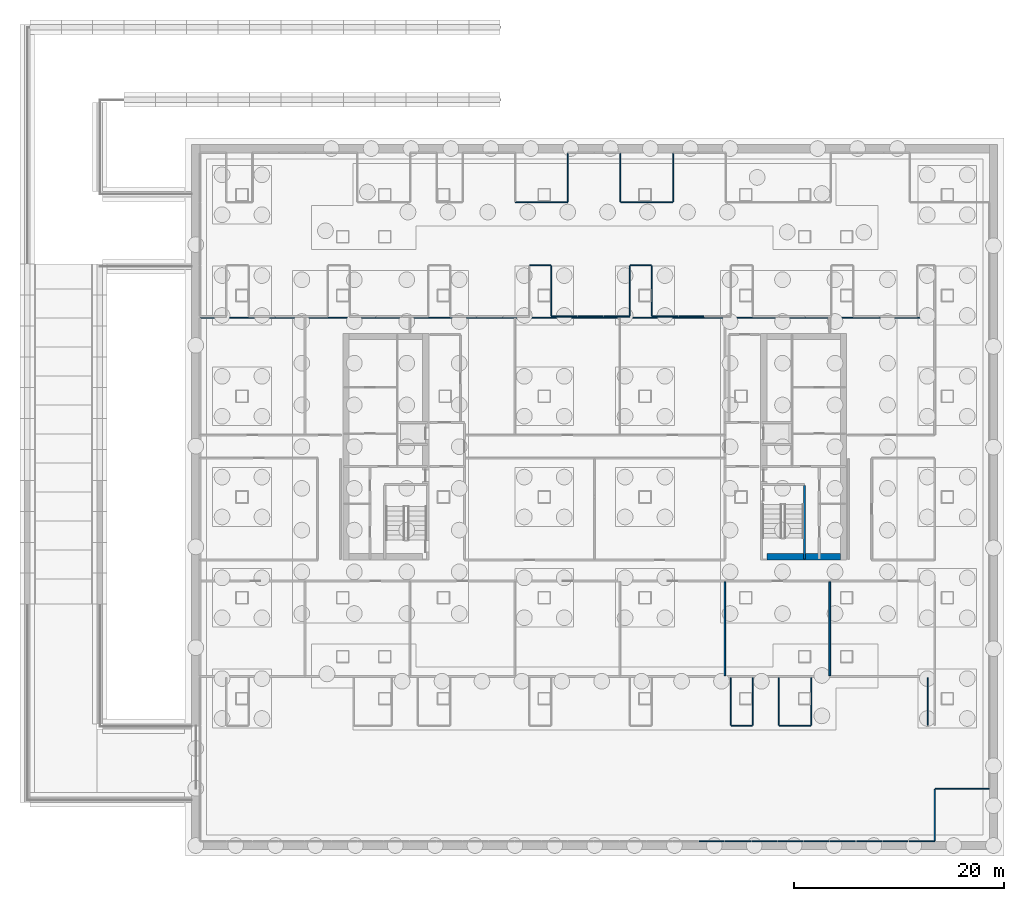
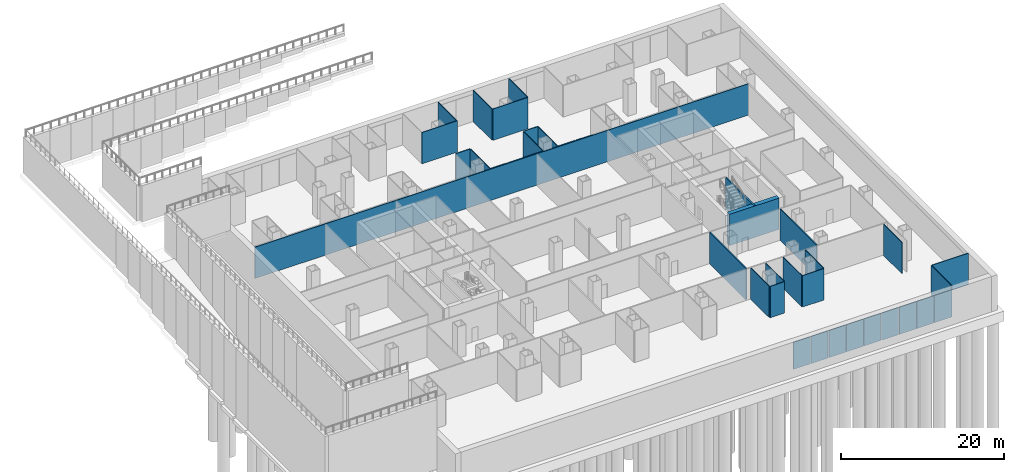
# One storey, part 10 of 17: 38 walls.
"""IFC4 building model written with IfcOpenShell, lengths in metres."""

from ifc_helpers import new_model, si_unit, direction, frame, frame_2d, origin, place, context, subcontext, project, spatial, rectangle, extrude, material, layer, layer_set, type_object, element, save


model = new_model("IFC4")

# Units and contexts
model_context = context("Model", 3, precision=1e-05, world=origin(), true_north=direction((0.0, 1.0)))
body_context = subcontext(model_context, "Body", "Model", "MODEL_VIEW")
ifc_project = project(units=[si_unit("LENGTHUNIT", "METRE"), si_unit("AREAUNIT", "SQUARE_METRE"), si_unit("VOLUMEUNIT", "CUBIC_METRE"), si_unit("PLANEANGLEUNIT", "RADIAN"), si_unit("MASSUNIT", "GRAM", prefix="KILO")], contexts=[model_context])

# Site, building, storey
site_placement = place(None, origin())
site = spatial("IfcSite", under=ifc_project, at=site_placement, CompositionType="ELEMENT")
building_placement = place(site_placement, origin())
building = spatial("IfcBuilding", under=site, at=building_placement, Name="Cobrizo Arcos Hotel Tower", CompositionType="ELEMENT")
storey_placement = place(building_placement, frame((0.0, 0.0, -10.0)))
storey = spatial("IfcBuildingStorey", under=building, at=storey_placement, Name="B2", CompositionType="ELEMENT", Elevation=-10.0)

# Walls
ifc_material_1 = material(Name="Gypsum board partition")
ifc_layer_1 = layer(ifc_material_1, 0.14990234375)
ifc_layer_set_1 = layer_set([ifc_layer_1], Name="Corridor wall EI 60 150")
wall_type_1 = type_object("IfcWallType", Name="Corridor wall EI 60 150", PredefinedType="PARTITIONING", material=ifc_layer_set_1)
for number, where, z_axis, x_axis, name in (
    (1, (12.39990234375, -21.824951171875, 0.0), (0.0, 0.0, 1.0), (0.0, 1.0, 0.0), "Partition 198"),
    (2, (22.39990234375, -21.824951171875, 0.0), (0.0, 0.0, 1.0), (0.0, 1.0, 0.0), "Partition 211"),
):
    element("IfcWall", number, at=place(storey_placement, frame(where, z_axis=z_axis, x_axis=x_axis)), inside=storey, type_object=wall_type_1, Name=name, PredefinedType="PARTITIONING", context=body_context, shape_type="SweptSolid", body=[
        extrude(rectangle(XDim=8.949951171875, YDim=0.14990234375, at=frame_2d((4.47509765625, 0.0))), origin(), (0.0, 0.0, 1.0), 4.699951171875),
    ])
ifc_layer_2 = layer(ifc_material_1, 0.10009765625)
ifc_layer_set_2 = layer_set([ifc_layer_2], Name="Partition EI 30 100")
wall_type_2 = type_object("IfcWallType", Name="Partition EI 30 100", PredefinedType="PARTITIONING", material=ifc_layer_set_2)
for number, where, z_axis, x_axis, name in (
    (3, (9.949951171875, -37.60009765625, 0.0), (0.0, 0.0, 1.0), (1.0, 0.0, 0.0), "Partition 020"),
    (4, (12.449951171875, -37.60009765625, 0.0), (0.0, 0.0, 1.0), (1.0, 0.0, 0.0), "Partition 021"),
    (5, (14.949951171875, -37.60009765625, 0.0), (0.0, 0.0, 1.0), (1.0, 0.0, 0.0), "Partition 022"),
    (6, (17.449951171875, -37.60009765625, 0.0), (0.0, 0.0, 1.0), (1.0, 0.0, 0.0), "Partition 023"),
    (7, (19.949951171875, -37.60009765625, 0.0), (0.0, 0.0, 1.0), (1.0, 0.0, 0.0), "Partition 024"),
    (8, (22.449951171875, -37.60009765625, 0.0), (0.0, 0.0, 1.0), (1.0, 0.0, 0.0), "Partition 025"),
    (9, (24.949951171875, -37.60009765625, 0.0), (0.0, 0.0, 1.0), (1.0, 0.0, 0.0), "Partition 026"),
    (10, (27.449951171875, -37.60009765625, 0.0), (0.0, 0.0, 1.0), (1.0, 0.0, 0.0), "Partition 027"),
):
    element("IfcWall", number, at=place(storey_placement, frame(where, z_axis=z_axis, x_axis=x_axis)), inside=storey, type_object=wall_type_2, Name=name, PredefinedType="PARTITIONING", context=body_context, shape_type="SweptSolid", body=[
        extrude(rectangle(XDim=2.400146484375, YDim=0.10009765625, at=frame_2d((1.2001953125, 0.0))), origin(), (0.0, 0.0, 1.0), 4.077880859375),
    ])
wall_1_placement = place(storey_placement, frame((29.949951171875, -37.60009765625, 0.0), z_axis=(0.0, 0.0, 1.0), x_axis=(1.0, 0.0, 0.0)))
element("IfcWall", 11, at=wall_1_placement, inside=storey, type_object=wall_type_2, Name="Partition 028", PredefinedType="PARTITIONING", context=body_context, shape_type="SweptSolid", body=[
    extrude(rectangle(XDim=2.449951171875, YDim=0.10009765625, at=frame_2d((1.22509765625, 0.0))), origin(), (0.0, 0.0, 1.0), 4.077880859375),
])
wall_2_placement = place(storey_placement, frame((32.449951171875, -32.60009765625, 0.0), z_axis=(0.0, 0.0, 1.0), x_axis=(1.0, 0.0, 0.0)))
element("IfcWall", 12, at=wall_2_placement, inside=storey, type_object=wall_type_2, Name="Partition 029", PredefinedType="PARTITIONING", context=body_context, shape_type="SweptSolid", body=[
    extrude(rectangle(XDim=5.150146484375, YDim=0.10009765625, at=frame_2d((2.5751953125, 0.0))), origin(), (0.0, 0.0, 1.0), 4.699951171875),
])
wall_3_placement = place(storey_placement, frame((13.0, -26.60009765625, 0.0), z_axis=(0.0, 0.0, 1.0), x_axis=(1.0, 0.0, 0.0)))
element("IfcWall", 13, at=wall_3_placement, inside=storey, type_object=wall_type_2, Name="Partition 035", PredefinedType="PARTITIONING", context=body_context, shape_type="SweptSolid", body=[
    extrude(rectangle(XDim=2.0, YDim=0.10009765625, at=frame_2d((1.0, 0.0))), origin(), (0.0, 0.0, 1.0), 4.699951171875),
])
wall_4_placement = place(storey_placement, frame((17.60009765625, -26.60009765625, 0.0), z_axis=(0.0, 0.0, 1.0), x_axis=(1.0, 0.0, 0.0)))
element("IfcWall", 14, at=wall_4_placement, inside=storey, type_object=wall_type_2, Name="Partition 036", PredefinedType="PARTITIONING", context=body_context, shape_type="SweptSolid", body=[
    extrude(rectangle(XDim=3.0, YDim=0.10009765625, at=frame_2d((1.5, 0.0))), origin(), (0.0, 0.0, 1.0), 4.699951171875),
])
wall_5_placement = place(storey_placement, frame((-37.60009765625, 12.300048828125, 0.0), z_axis=(0.0, 0.0, 1.0), x_axis=(1.0, 0.0, 0.0)))
element("IfcWall", 15, at=wall_5_placement, inside=storey, type_object=wall_type_2, Name="Partition 089", PredefinedType="PARTITIONING", context=body_context, shape_type="SweptSolid", body=[
    extrude(rectangle(XDim=70.0, YDim=0.10009765625, at=frame_2d((35.0, 0.0))), origin(), (0.0, 0.0, 1.0), 4.699951171875),
])
wall_6_placement = place(storey_placement, frame((-4.14990234375, 12.39990234375, 0.0), z_axis=(0.0, 0.0, 1.0), x_axis=(1.0, 0.0, 0.0)))
element("IfcWall", 16, at=wall_6_placement, inside=storey, type_object=wall_type_2, Name="Partition 100", PredefinedType="PARTITIONING", context=body_context, shape_type="SweptSolid", body=[
    extrude(rectangle(XDim=2.449951171875, YDim=0.10009765625, at=frame_2d((1.22509765625, 0.0))), origin(), (0.0, 0.0, 1.0), 4.699951171875),
])
wall_7_placement = place(storey_placement, frame((-1.60009765625, 12.39990234375, 0.0), z_axis=(0.0, 0.0, 1.0), x_axis=(1.0, 0.0, 0.0)))
element("IfcWall", 17, at=wall_7_placement, inside=storey, type_object=wall_type_2, Name="Partition 101", PredefinedType="PARTITIONING", context=body_context, shape_type="SweptSolid", body=[
    extrude(rectangle(XDim=2.400146484375, YDim=0.10009765625, at=frame_2d((1.2001953125, 0.0))), origin(), (0.0, 0.0, 1.0), 4.699951171875),
])
wall_8_placement = place(storey_placement, frame((0.89990234375, 12.39990234375, 0.0), z_axis=(0.0, 0.0, 1.0), x_axis=(1.0, 0.0, 0.0)))
element("IfcWall", 18, at=wall_8_placement, inside=storey, type_object=wall_type_2, Name="Partition 102", PredefinedType="PARTITIONING", context=body_context, shape_type="SweptSolid", body=[
    extrude(rectangle(XDim=2.4501953125, YDim=0.10009765625, at=frame_2d((1.22509765625, 0.0))), origin(), (0.0, 0.0, 1.0), 4.699951171875),
])
wall_9_placement = place(storey_placement, frame((5.449951171875, 12.39990234375, 0.0), z_axis=(0.0, 0.0, 1.0), x_axis=(1.0, 0.0, 0.0)))
element("IfcWall", 19, at=wall_9_placement, inside=storey, type_object=wall_type_2, Name="Partition 103", PredefinedType="PARTITIONING", context=body_context, shape_type="SweptSolid", body=[
    extrude(rectangle(XDim=2.449951171875, YDim=0.10009765625, at=frame_2d((1.22509765625, 0.0))), origin(), (0.0, 0.0, 1.0), 4.699951171875),
])
wall_10_placement = place(storey_placement, frame((8.0, 12.39990234375, 0.0), z_axis=(0.0, 0.0, 1.0), x_axis=(1.0, 0.0, 0.0)))
element("IfcWall", 20, at=wall_10_placement, inside=storey, type_object=wall_type_2, Name="Partition 104", PredefinedType="PARTITIONING", context=body_context, shape_type="SweptSolid", body=[
    extrude(rectangle(XDim=2.39990234375, YDim=0.10009765625, at=frame_2d((1.199951171875, 0.0))), origin(), (0.0, 0.0, 1.0), 4.699951171875),
])
for number, where, z_axis, x_axis, name in (
    (21, (-6.199951171875, 17.300048828125, 0.0), (0.0, 0.0, 1.0), (1.0, 0.0, 0.0), "Partition 114"),
    (22, (3.39990234375, 17.300048828125, 0.0), (0.0, 0.0, 1.0), (1.0, 0.0, 0.0), "Partition 115"),
):
    element("IfcWall", number, at=place(storey_placement, frame(where, z_axis=z_axis, x_axis=x_axis)), inside=storey, type_object=wall_type_2, Name=name, PredefinedType="PARTITIONING", context=body_context, shape_type="SweptSolid", body=[
        extrude(rectangle(XDim=2.0, YDim=0.10009765625, at=frame_2d((1.0, 0.0))), origin(), (0.0, 0.0, 1.0), 4.699951171875),
    ])
wall_11_placement = place(storey_placement, frame((-7.550048828125, 23.300048828125, 0.0), z_axis=(0.0, 0.0, 1.0), x_axis=(1.0, 0.0, 0.0)))
element("IfcWall", 23, at=wall_11_placement, inside=storey, type_object=wall_type_2, Name="Partition 122", PredefinedType="PARTITIONING", context=body_context, shape_type="SweptSolid", body=[
    extrude(rectangle(XDim=5.0, YDim=0.10009765625, at=frame_2d((2.5, 0.0))), origin(), (0.0, 0.0, 1.0), 4.699951171875),
])
wall_12_placement = place(storey_placement, frame((2.5, 23.300048828125, 0.0), z_axis=(0.0, 0.0, 1.0), x_axis=(1.0, 0.0, 0.0)))
element("IfcWall", 24, at=wall_12_placement, inside=storey, type_object=wall_type_2, Name="Partition 123", PredefinedType="PARTITIONING", context=body_context, shape_type="SweptSolid", body=[
    extrude(rectangle(XDim=4.949951171875, YDim=0.10009765625, at=frame_2d((2.47509765625, 0.0))), origin(), (0.0, 0.0, 1.0), 4.699951171875),
])
wall_13_placement = place(storey_placement, frame((-4.14990234375, 12.449951171875, 0.0), z_axis=(0.0, 0.0, 1.0), x_axis=(0.0, 1.0, 0.0)))
element("IfcWall", 25, at=wall_13_placement, inside=storey, type_object=wall_type_2, Name="Partition 185", PredefinedType="PARTITIONING", context=body_context, shape_type="SweptSolid", body=[
    extrude(rectangle(XDim=4.800048828125, YDim=0.10009765625, at=frame_2d((2.39990234375, 0.0))), origin(), (0.0, 0.0, 1.0), 4.699951171875),
])
for number, where, z_axis, x_axis, name in (
    (26, (-2.550048828125, 23.35009765625, 0.0), (0.0, 0.0, 1.0), (0.0, 1.0, 0.0), "Partition 186"),
    (27, (2.449951171875, 23.35009765625, 0.0), (0.0, 0.0, 1.0), (0.0, 1.0, 0.0), "Partition 192"),
):
    element("IfcWall", number, at=place(storey_placement, frame(where, z_axis=z_axis, x_axis=x_axis)), inside=storey, type_object=wall_type_2, Name=name, PredefinedType="PARTITIONING", context=body_context, shape_type="SweptSolid", body=[
        extrude(rectangle(XDim=4.599853515625, YDim=0.10009765625, at=frame_2d((2.2998046875, 0.0))), origin(), (0.0, 0.0, 1.0), 4.699951171875),
    ])
for number, where, z_axis, x_axis, name in (
    (28, (3.35009765625, 12.449951171875, 0.0), (0.0, 0.0, 1.0), (0.0, 1.0, 0.0), "Partition 194"),
    (29, (5.449951171875, 12.449951171875, 0.0), (0.0, 0.0, 1.0), (0.0, 1.0, 0.0), "Partition 196"),
):
    element("IfcWall", number, at=place(storey_placement, frame(where, z_axis=z_axis, x_axis=x_axis)), inside=storey, type_object=wall_type_2, Name=name, PredefinedType="PARTITIONING", context=body_context, shape_type="SweptSolid", body=[
        extrude(rectangle(XDim=4.800048828125, YDim=0.10009765625, at=frame_2d((2.39990234375, 0.0))), origin(), (0.0, 0.0, 1.0), 4.699951171875),
    ])
wall_14_placement = place(storey_placement, frame((7.5, 23.35009765625, 0.0), z_axis=(0.0, 0.0, 1.0), x_axis=(0.0, 1.0, 0.0)))
element("IfcWall", 30, at=wall_14_placement, inside=storey, type_object=wall_type_2, Name="Partition 197", PredefinedType="PARTITIONING", context=body_context, shape_type="SweptSolid", body=[
    extrude(rectangle(XDim=4.599853515625, YDim=0.10009765625, at=frame_2d((2.2998046875, 0.0))), origin(), (0.0, 0.0, 1.0), 4.699951171875),
])
for number, where, z_axis, x_axis, name in (
    (31, (12.949951171875, -26.550048828125, 0.0), (0.0, 0.0, 1.0), (0.0, 1.0, 0.0), "Partition 202"),
    (32, (15.050048828125, -26.550048828125, 0.0), (0.0, 0.0, 1.0), (0.0, 1.0, 0.0), "Partition 204"),
    (33, (17.550048828125, -26.550048828125, 0.0), (0.0, 0.0, 1.0), (0.0, 1.0, 0.0), "Partition 206"),
    (34, (20.64990234375, -26.550048828125, 0.0), (0.0, 0.0, 1.0), (0.0, 1.0, 0.0), "Partition 209"),
):
    element("IfcWall", number, at=place(storey_placement, frame(where, z_axis=z_axis, x_axis=x_axis)), inside=storey, type_object=wall_type_2, Name=name, PredefinedType="PARTITIONING", context=body_context, shape_type="SweptSolid", body=[
        extrude(rectangle(XDim=4.525146484375, YDim=0.10009765625, at=frame_2d((2.2626953125, 0.0))), origin(), (0.0, 0.0, 1.0), 4.699951171875),
    ])
wall_15_placement = place(storey_placement, frame((31.75, -26.550048828125, 0.0), z_axis=(0.0, 0.0, 1.0), x_axis=(0.0, 1.0, 0.0)))
element("IfcWall", 35, at=wall_15_placement, inside=storey, type_object=wall_type_2, Name="Partition 220", PredefinedType="PARTITIONING", context=body_context, shape_type="SweptSolid", body=[
    extrude(rectangle(XDim=4.550048828125, YDim=0.10009765625, at=frame_2d((2.27490234375, 0.0))), origin(), (0.0, 0.0, 1.0), 4.699951171875),
])
wall_16_placement = place(storey_placement, frame((32.39990234375, -37.550048828125, 0.0), z_axis=(0.0, 0.0, 1.0), x_axis=(0.0, 1.0, 0.0)))
element("IfcWall", 36, at=wall_16_placement, inside=storey, type_object=wall_type_2, Name="Partition 221", PredefinedType="PARTITIONING", context=body_context, shape_type="SweptSolid", body=[
    extrude(rectangle(XDim=4.900146484375, YDim=0.10009765625, at=frame_2d((2.4501953125, 0.0))), origin(), (0.0, 0.0, 1.0), 4.699951171875),
])
ifc_material_2 = material(Name="Concrete f'c 60 MPa", Category="concrete")
ifc_layer_3 = layer(ifc_material_2, 0.60009765625)
ifc_layer_set_3 = layer_set([ifc_layer_3], Name="RC core wall 600 f'c 60")
wall_type_3 = type_object("IfcWallType", Name="RC core wall 600 f'c 60", PredefinedType="SHEAR", material=ifc_layer_set_3)
wall_17_placement = place(storey_placement, frame((16.39990234375, -10.5, 0.0), z_axis=(0.0, 0.0, 1.0), x_axis=(1.0, 0.0, 0.0)))
element("IfcWall", 37, at=wall_17_placement, inside=storey, type_object=wall_type_3, Name="Core wall CW1, east core, south end, B2", PredefinedType="SHEAR", context=body_context, shape_type="SweptSolid", body=[
    extrude(rectangle(XDim=7.0, YDim=0.60009765625, at=frame_2d((3.5, 0.0))), origin(), (0.0, 0.0, 1.0), 4.699951171875),
])
ifc_material_3 = material(Name="Concrete f'c 40 MPa", Category="concrete")
ifc_layer_4 = layer(ifc_material_3, 0.199951171875)
ifc_layer_set_4 = layer_set([ifc_layer_4], Name="Stair shaft wall 200")
wall_type_4 = type_object("IfcWallType", Name="Stair shaft wall 200", PredefinedType="SHEAR", material=ifc_layer_set_4)
wall_18_placement = place(storey_placement, frame((20.0, -10.679931640625, 0.0), z_axis=(0.0, 0.0, 1.0), x_axis=(0.0, 1.0, 0.0)))
element("IfcWall", 38, at=wall_18_placement, inside=storey, type_object=wall_type_4, Name="Stair shaft wall E", PredefinedType="SHEAR", context=body_context, shape_type="SweptSolid", body=[
    extrude(rectangle(XDim=6.97998046875, YDim=0.199951171875, at=frame_2d((3.489990234375, 0.0))), origin(), (0.0, 0.0, 1.0), 4.699951171875),
])

save(model, "model.ifc")
